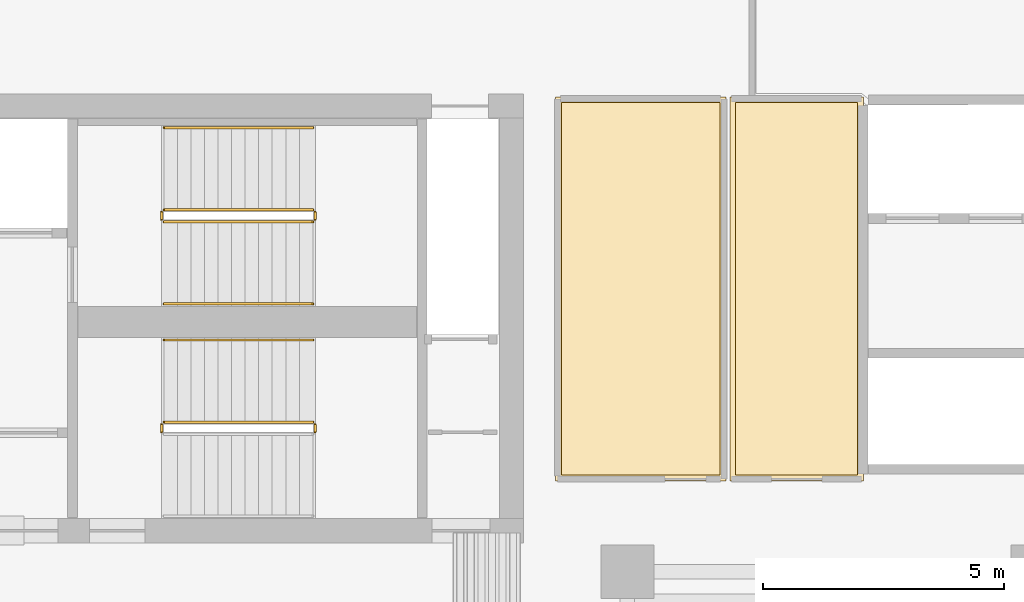
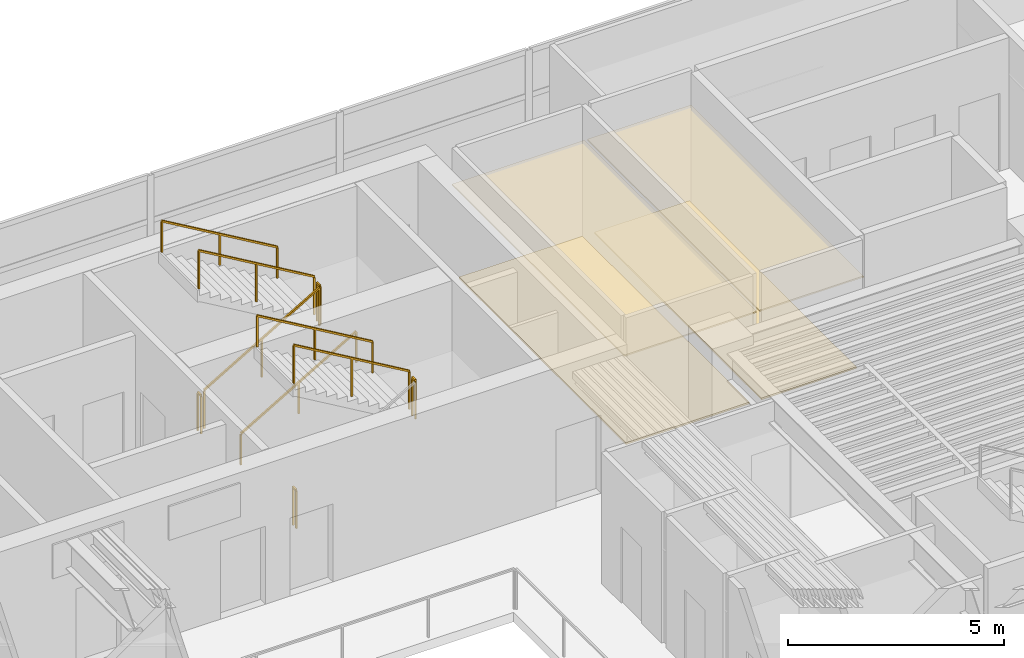
# One storey, part 12 of 12: 10 railings, 4 coverings.
"""IFC4 building model written with IfcOpenShell, lengths in metres."""

from ifc_helpers import new_model, si_unit, direction, frame, origin, origin_2d, place, context, subcontext, project, spatial, polyline, rectangle, outline, extrude, material, layer, layer_set, type_object, element, save


model = new_model("IFC4")

# Units and contexts
model_context = context("Model", 3, precision=1e-05, world=origin(), true_north=direction((0.0, 1.0)))
body_context = subcontext(model_context, "Body", "Model", "MODEL_VIEW")
ifc_project = project(units=[si_unit("LENGTHUNIT", "METRE"), si_unit("AREAUNIT", "SQUARE_METRE"), si_unit("VOLUMEUNIT", "CUBIC_METRE"), si_unit("PLANEANGLEUNIT", "RADIAN"), si_unit("MASSUNIT", "GRAM", prefix="KILO")], contexts=[model_context])

# Site, building, storey
site_placement = place(None, origin())
site = spatial("IfcSite", under=ifc_project, at=site_placement, CompositionType="ELEMENT")
building_placement = place(site_placement, origin())
building = spatial("IfcBuilding", under=site, at=building_placement, Name="Caeloran Harvest Quay", CompositionType="ELEMENT")
storey_placement = place(building_placement, frame((0.0, 0.0, 150.89990234375)))
storey = spatial("IfcBuildingStorey", under=building, at=storey_placement, Name="L35", CompositionType="ELEMENT", Elevation=150.89990234375)

# Coverings
ifc_material_1 = material(Name="Perforated Mineral-Fibre Acoustic Ceiling Tile", Category="ceiling")
ifc_layer_1 = layer(ifc_material_1, 0.0400390625, Name="Perforated Mineral-Fibre Acoustic Ceiling Tile")
ifc_layer_set_1 = layer_set([ifc_layer_1], Name="Perforated Mineral-Fibre Acoustic Ceiling Tile")
covering_type_1 = type_object("IfcCoveringType", Name="COV-CEILING-ACOUSTIC", PredefinedType="CEILING", material=ifc_layer_set_1)
covering_1_placement = place(storey_placement, frame((0.0, 0.0, 2.60009765625)))
element("IfcCovering", 1, at=covering_1_placement, inside=storey, type_object=covering_type_1, Name="L35 Bioinformatics Briefing Lounge Acoustic Ceiling", PredefinedType="CEILING", context=body_context, shape_type="SweptSolid", body=[
    extrude(outline(polyline([(27.5400390625, 40.840087890625), (27.5400390625, 32.8798828125), (24.010009765625, 32.8798828125), (24.010009765625, 40.840087890625), (27.5400390625, 40.840087890625)])), origin(), (0.0, 0.0, 1.0), 0.0400390625),
])
covering_2_placement = place(storey_placement, frame((0.0, 0.0, 2.60009765625)))
element("IfcCovering", 2, at=covering_2_placement, inside=storey, type_object=covering_type_1, Name="L35 Seed Imaging Laboratory Acoustic Ceiling", PredefinedType="CEILING", context=body_context, shape_type="SweptSolid", body=[
    extrude(outline(polyline([(30.389892578125, 40.840087890625), (30.389892578125, 32.8798828125), (27.6201171875, 32.8798828125), (27.6201171875, 40.840087890625), (30.389892578125, 40.840087890625)])), origin(), (0.0, 0.0, 1.0), 0.0400390625),
])
ifc_material_2 = material(Name="Calcium-Sulphate Raised Access Floor and Terrazzo Finish", Category="flooring")
ifc_layer_2 = layer(ifc_material_2, 0.050048828125, Name="Calcium-Sulphate Raised Access Floor and Terrazzo Finish")
ifc_layer_set_2 = layer_set([ifc_layer_2], Name="Calcium-Sulphate Raised Access Floor and Terrazzo Finish")
covering_type_2 = type_object("IfcCoveringType", Name="COV-FLOOR-RAISED", PredefinedType="FLOORING", material=ifc_layer_set_2)
covering_3_placement = place(storey_placement, origin())
element("IfcCovering", 3, at=covering_3_placement, inside=storey, type_object=covering_type_2, Name="L35 Bioinformatics Briefing Lounge Raised Finish Flooring", PredefinedType="FLOORING", context=body_context, shape_type="SweptSolid", body=[
    extrude(outline(polyline([(27.419921875, 40.719970703125), (27.419921875, 33.0), (24.1298828125, 33.0), (24.1298828125, 40.719970703125), (27.419921875, 40.719970703125)])), origin(), (0.0, 0.0, 1.0), 0.050048828125),
])
covering_4_placement = place(storey_placement, origin())
element("IfcCovering", 4, at=covering_4_placement, inside=storey, type_object=covering_type_2, Name="L35 Seed Imaging Laboratory Raised Finish Flooring", PredefinedType="FLOORING", context=body_context, shape_type="SweptSolid", body=[
    extrude(outline(polyline([(30.27001953125, 40.719970703125), (30.27001953125, 33.0), (27.739990234375, 33.0), (27.739990234375, 40.719970703125), (30.27001953125, 40.719970703125)])), origin(), (0.0, 0.0, 1.0), 0.050048828125),
])

# Railings
ifc_material_3 = material(Name="Painted Steel Baluster and Top-Rail Stair Guard", Category="steel")
ifc_layer_3 = layer(ifc_material_3, 0.050048828125, Name="Painted Steel Baluster and Top-Rail Stair Guard")
ifc_layer_set_3 = layer_set([ifc_layer_3], Name="Painted Steel Baluster and Top-Rail Stair Guard")
railing_type_1 = type_object("IfcRailingType", Name="STAIR-GUARD-1100", PredefinedType="GUARDRAIL", material=ifc_layer_set_3)
railing_1_placement = place(storey_placement, frame((15.89990234375, 38.25, 0.164794921875)))
element("IfcRailing", 5, at=railing_1_placement, inside=storey, type_object=railing_type_1, Name="L35 ST-C1 stair guard 1", PredefinedType="GUARDRAIL", context=body_context, shape_type="SweptSolid", body=[
    extrude(rectangle(XDim=0.048095703125, YDim=0.048095703125, at=origin_2d()), frame((0.0, 0.0, 1.076171875), z_axis=(0.862118610829, 0.0, 0.506706523406), x_axis=(0.0, 1.0, 0.0)), (0.0, 0.0, 1.0), 3.57275390625),
    extrude(rectangle(XDim=0.0419921875, YDim=0.0419921875, at=origin_2d()), origin(), (0.0, 0.0, 1.0), 1.052001953125),
    extrude(rectangle(XDim=0.0419921875, YDim=0.0419921875, at=origin_2d()), frame((1.5400390625, 0.0, 0.9052734375)), (0.0, 0.0, 1.0), 1.052001953125),
    extrude(rectangle(XDim=0.0419921875, YDim=0.0419921875, at=origin_2d()), frame((3.080078125, 0.0, 1.810302734375)), (0.0, 0.0, 1.0), 1.052001953125),
])
railing_2_placement = place(storey_placement, frame((19.030029296875, 38.300048828125, 1.97509765625)))
element("IfcRailing", 6, at=railing_2_placement, inside=storey, type_object=railing_type_1, Name="L35 ST-C1 stair guard 2", PredefinedType="GUARDRAIL", context=body_context, shape_type="SweptSolid", body=[
    extrude(rectangle(XDim=0.048095703125, YDim=0.048095703125, at=origin_2d()), frame((0.0, 0.0, 1.076171875), z_axis=(0.0, 1.0, 0.0), x_axis=(-1.0, 0.0, 0.0)), (0.0, 0.0, 1.0), 0.14990234375),
    extrude(rectangle(XDim=0.0419921875, YDim=0.0419921875, at=origin_2d()), origin(), (0.0, 0.0, 1.0), 1.052001953125),
    extrude(rectangle(XDim=0.0419921875, YDim=0.0419921875, at=origin_2d()), frame((0.0, 0.14990234375, 0.0)), (0.0, 0.0, 1.0), 1.052001953125),
])
railing_3_placement = place(storey_placement, frame((18.97998046875, 38.5, 2.1396484375)))
element("IfcRailing", 7, at=railing_3_placement, inside=storey, type_object=railing_type_1, Name="L35 ST-C1 stair guard 3", PredefinedType="GUARDRAIL", context=body_context, shape_type="SweptSolid", body=[
    extrude(rectangle(XDim=0.048095703125, YDim=0.048095703125, at=origin_2d()), frame((0.0, 0.0, 1.076171875), z_axis=(-0.862088758681, 0.0, 0.506757310905), x_axis=(0.0, -1.0, 0.0)), (0.0, 0.0, 1.0), 3.57275390625),
    extrude(rectangle(XDim=0.0419921875, YDim=0.0419921875, at=origin_2d()), origin(), (0.0, 0.0, 1.0), 1.052001953125),
    extrude(rectangle(XDim=0.0419921875, YDim=0.0419921875, at=origin_2d()), frame((-1.5400390625, 0.0, 0.9052734375)), (0.0, 0.0, 1.0), 1.052001953125),
    extrude(rectangle(XDim=0.0419921875, YDim=0.0419921875, at=origin_2d()), frame((-3.080078125, 0.0, 1.810546875)), (0.0, 0.0, 1.0), 1.052001953125),
])
railing_4_placement = place(storey_placement, frame((15.85009765625, 38.300048828125, 0.0)))
element("IfcRailing", 8, at=railing_4_placement, inside=storey, type_object=railing_type_1, Name="L35 ST-C1 stair guard 4", PredefinedType="GUARDRAIL", context=body_context, shape_type="SweptSolid", body=[
    extrude(rectangle(XDim=0.048095703125, YDim=0.048095703125, at=origin_2d()), frame((0.0, 0.0, 1.076171875), z_axis=(0.0, 1.0, 0.0), x_axis=(-1.0, 0.0, 0.0)), (0.0, 0.0, 1.0), 0.14990234375),
    extrude(rectangle(XDim=0.0419921875, YDim=0.0419921875, at=origin_2d()), origin(), (0.0, 0.0, 1.0), 1.052001953125),
    extrude(rectangle(XDim=0.0419921875, YDim=0.0419921875, at=origin_2d()), frame((0.0, 0.14990234375, 0.0)), (0.0, 0.0, 1.0), 1.052001953125),
])
railing_5_placement = place(storey_placement, frame((19.030029296875, 33.89990234375, 1.97509765625)))
element("IfcRailing", 9, at=railing_5_placement, inside=storey, type_object=railing_type_1, Name="L35 ST-C2 stair guard 2", PredefinedType="GUARDRAIL", context=body_context, shape_type="SweptSolid", body=[
    extrude(rectangle(XDim=0.048095703125, YDim=0.048095703125, at=origin_2d()), frame((0.0, 0.0, 1.076171875), z_axis=(0.0, 1.0, 0.0), x_axis=(-1.0, 0.0, 0.0)), (0.0, 0.0, 1.0), 0.150146484375),
    extrude(rectangle(XDim=0.0419921875, YDim=0.0419921875, at=origin_2d()), origin(), (0.0, 0.0, 1.0), 1.052001953125),
    extrude(rectangle(XDim=0.0419921875, YDim=0.0419921875, at=origin_2d()), frame((0.0, 0.150146484375, 0.0)), (0.0, 0.0, 1.0), 1.052001953125),
])
railing_6_placement = place(storey_placement, frame((18.97998046875, 34.10009765625, 2.1396484375)))
element("IfcRailing", 10, at=railing_6_placement, inside=storey, type_object=railing_type_1, Name="L35 ST-C2 stair guard 3", PredefinedType="GUARDRAIL", context=body_context, shape_type="SweptSolid", body=[
    extrude(rectangle(XDim=0.048095703125, YDim=0.048095703125, at=origin_2d()), frame((0.0, 0.0, 1.076171875), z_axis=(-0.862088758681, 0.0, 0.506757310905), x_axis=(0.0, -1.0, 0.0)), (0.0, 0.0, 1.0), 3.57275390625),
    extrude(rectangle(XDim=0.0419921875, YDim=0.0419921875, at=origin_2d()), origin(), (0.0, 0.0, 1.0), 1.052001953125),
    extrude(rectangle(XDim=0.0419921875, YDim=0.0419921875, at=origin_2d()), frame((-1.5400390625, 0.0, 0.9052734375)), (0.0, 0.0, 1.0), 1.052001953125),
    extrude(rectangle(XDim=0.0419921875, YDim=0.0419921875, at=origin_2d()), frame((-3.080078125, 0.0, 1.810546875)), (0.0, 0.0, 1.0), 1.052001953125),
])
railing_7_placement = place(storey_placement, frame((15.85009765625, 33.89990234375, 0.0)))
element("IfcRailing", 11, at=railing_7_placement, inside=storey, type_object=railing_type_1, Name="L35 ST-C2 stair guard 4", PredefinedType="GUARDRAIL", context=body_context, shape_type="SweptSolid", body=[
    extrude(rectangle(XDim=0.048095703125, YDim=0.048095703125, at=origin_2d()), frame((0.0, 0.0, 1.076171875), z_axis=(0.0, 1.0, 0.0), x_axis=(-1.0, 0.0, 0.0)), (0.0, 0.0, 1.0), 0.150146484375),
    extrude(rectangle(XDim=0.0419921875, YDim=0.0419921875, at=origin_2d()), origin(), (0.0, 0.0, 1.0), 1.052001953125),
    extrude(rectangle(XDim=0.0419921875, YDim=0.0419921875, at=origin_2d()), frame((0.0, 0.150146484375, 0.0)), (0.0, 0.0, 1.0), 1.052001953125),
])
ifc_material_4 = material(Name="Brushed Stainless Steel Grade 304", Category="steel")
ifc_layer_4 = layer(ifc_material_4, 0.050048828125, Name="Brushed Stainless Steel Grade 304")
ifc_layer_set_4 = layer_set([ifc_layer_4], Name="Brushed Stainless Steel Grade 304")
railing_type_2 = type_object("IfcRailingType", Name="STAIR-HANDRAIL-900", PredefinedType="HANDRAIL", material=ifc_layer_set_4)
railing_8_placement = place(storey_placement, frame((15.89990234375, 36.550048828125, 0.164794921875)))
element("IfcRailing", 12, at=railing_8_placement, inside=storey, type_object=railing_type_2, Name="L35 ST-C1 stair handrail 1", PredefinedType="HANDRAIL", context=body_context, shape_type="SweptSolid", body=[
    extrude(rectangle(XDim=0.048095703125, YDim=0.048095703125, at=origin_2d()), frame((0.0, 0.0, 0.8759765625), z_axis=(0.862118610829, 0.0, 0.506706523406), x_axis=(0.0, 1.0, 0.0)), (0.0, 0.0, 1.0), 3.57275390625),
    extrude(rectangle(XDim=0.0419921875, YDim=0.0419921875, at=origin_2d()), origin(), (0.0, 0.0, 1.0), 0.851806640625),
    extrude(rectangle(XDim=0.0419921875, YDim=0.0419921875, at=origin_2d()), frame((1.5400390625, 0.0, 0.9052734375)), (0.0, 0.0, 1.0), 0.851806640625),
    extrude(rectangle(XDim=0.0419921875, YDim=0.0419921875, at=origin_2d()), frame((3.080078125, 0.0, 1.810302734375)), (0.0, 0.0, 1.0), 0.851806640625),
])
for number, where, name in (
    (13, (18.97998046875, 40.199951171875, 2.1396484375), "L35 ST-C1 stair handrail 2"),
    (14, (18.97998046875, 35.800048828125, 2.1396484375), "L35 ST-C2 stair handrail 2"),
):
    element("IfcRailing", number, at=place(storey_placement, frame(where)), inside=storey, type_object=railing_type_2, Name=name, PredefinedType="HANDRAIL", context=body_context, shape_type="SweptSolid", body=[
        extrude(rectangle(XDim=0.048095703125, YDim=0.048095703125, at=origin_2d()), frame((0.0, 0.0, 0.8759765625), z_axis=(-0.862088758681, 0.0, 0.506757310905), x_axis=(0.0, -1.0, 0.0)), (0.0, 0.0, 1.0), 3.57275390625),
        extrude(rectangle(XDim=0.0419921875, YDim=0.0419921875, at=origin_2d()), origin(), (0.0, 0.0, 1.0), 0.851806640625),
        extrude(rectangle(XDim=0.0419921875, YDim=0.0419921875, at=origin_2d()), frame((-1.5400390625, 0.0, 0.9052734375)), (0.0, 0.0, 1.0), 0.851806640625),
        extrude(rectangle(XDim=0.0419921875, YDim=0.0419921875, at=origin_2d()), frame((-3.080078125, 0.0, 1.810546875)), (0.0, 0.0, 1.0), 0.851806640625),
    ])

save(model, "model.ifc")
